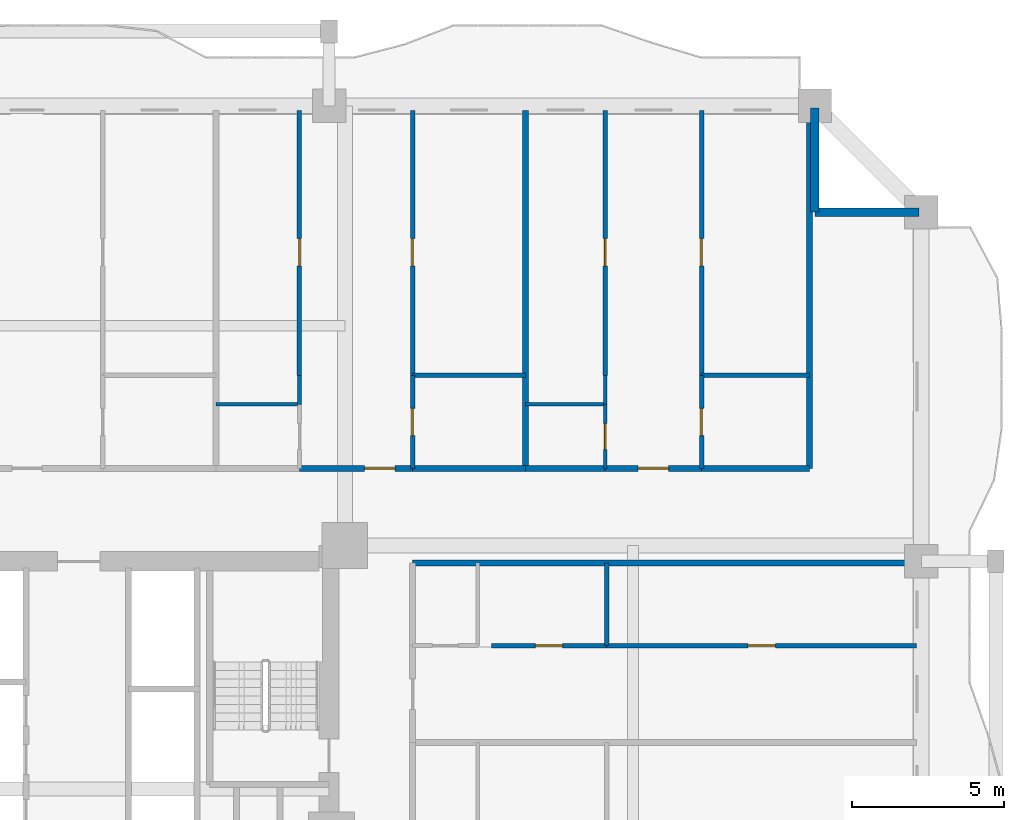
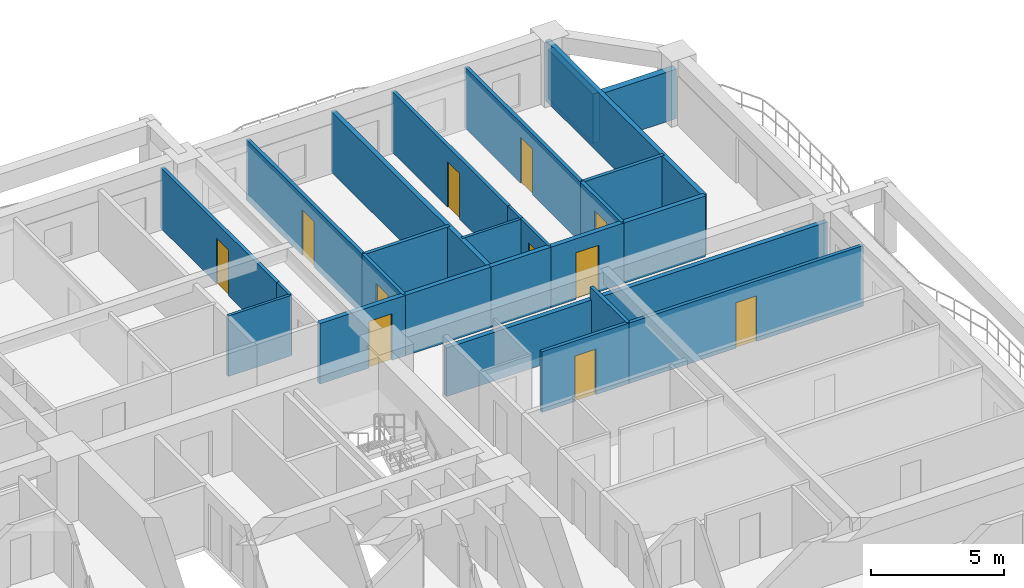
# One storey, part 8 of 18: 26 walls, 11 doors, 11 openings.
"""IFC4 building model written with IfcOpenShell, lengths in metres."""

from ifc_helpers import new_model, si_unit, direction, frame, frame_2d, origin, place, context, subcontext, project, spatial, rectangle, extrude, source, transform, mapped, material, layer, layer_set, type_object, element, fill, save


model = new_model("IFC4")

# Units and contexts
model_context = context("Model", 3, precision=1e-05, world=origin(), true_north=direction((0.0, 1.0)))
body_context = subcontext(model_context, "Body", "Model", "MODEL_VIEW")
ifc_project = project(units=[si_unit("LENGTHUNIT", "METRE"), si_unit("AREAUNIT", "SQUARE_METRE"), si_unit("VOLUMEUNIT", "CUBIC_METRE"), si_unit("PLANEANGLEUNIT", "RADIAN"), si_unit("MASSUNIT", "GRAM", prefix="KILO")], contexts=[model_context])

# Site, building, storey
site_placement = place(None, origin())
site = spatial("IfcSite", under=ifc_project, at=site_placement, CompositionType="ELEMENT")
building_placement = place(site_placement, origin())
building = spatial("IfcBuilding", under=site, at=building_placement, Name="Saelheon Loggia Tower", CompositionType="ELEMENT")
storey_placement = place(building_placement, frame((0.0, 0.0, 40.39990234375)))
storey = spatial("IfcBuildingStorey", under=building, at=storey_placement, Name="L12", CompositionType="ELEMENT", Elevation=40.39990234375)

# Walls
ifc_material_1 = material(Name="Architectural Precast Concrete C40/50", Category="concrete")
ifc_layer_1 = layer(ifc_material_1, 0.280029296875)
ifc_layer_set_1 = layer_set([ifc_layer_1], Name="Architectural Precast Concrete C40/50")
wall_type_1 = type_object("IfcWallType", Name="Wall_Ext_Loggia_280", PredefinedType="SOLIDWALL", material=ifc_layer_set_1)
for number, where, z_axis, x_axis, name in (
    (1, (60.5, 47.5, 0.0), (0.0, 0.0, 1.0), (0.0, 1.0, 0.0), "L12 Corner Notch Precast Wall NE1"),
    (2, (60.5, 47.5, 0.0), (0.0, 0.0, 1.0), (1.0, 0.0, 0.0), "L12 Corner Notch Precast Wall NE2"),
):
    element("IfcWall", number, at=place(storey_placement, frame(where, z_axis=z_axis, x_axis=x_axis)), inside=storey, type_object=wall_type_1, Name=name, PredefinedType="SOLIDWALL", context=body_context, shape_type="SweptSolid", body=[
        extrude(rectangle(XDim=3.419921875, YDim=0.280029296875, at=frame_2d((1.7099609375, 0.0))), origin(), (0.0, 0.0, 1.0), 2.280029296875),
    ])
ifc_material_2 = material(Name="Lightweight Autoclaved Aerated Concrete Block and Acoustic Gypsum", Category="concrete")
ifc_layer_2 = layer(ifc_material_2, 0.14990234375)
ifc_layer_set_2 = layer_set([ifc_layer_2], Name="Lightweight Autoclaved Aerated Concrete Block and Acoustic Gypsum")
wall_type_2 = type_object("IfcWallType", Name="Wall_Part_150", PredefinedType="PARTITIONING", material=ifc_layer_set_2)
wall_1_placement = place(storey_placement, frame((47.24951171875, 42.1201171875, 0.0), z_axis=(0.0, 0.0, 1.0), x_axis=(1.0, 0.0, 0.0)))
element("IfcWall", 3, at=wall_1_placement, inside=storey, type_object=wall_type_2, Name="L12 N Partition V31", PredefinedType="PARTITIONING", context=body_context, shape_type="SweptSolid", body=[
    extrude(rectangle(XDim=3.72265625, YDim=0.14990234375, at=frame_2d((1.861328125, 0.0))), origin(), (0.0, 0.0, 1.0), 2.7900390625),
])

# Wall, opening, door
wall_2_placement = place(storey_placement, frame((43.524658203125, 42.1201171875, 0.0), z_axis=(0.0, 0.0, 1.0), x_axis=(0.0, 1.0, 0.0)))
wall_2 = element("IfcWall", 4, at=wall_2_placement, inside=storey, type_object=wall_type_2, Name="L12 N Partition U34", PredefinedType="PARTITIONING", context=body_context, shape_type="SweptSolid", body=[
    extrude(rectangle(XDim=8.72998046875, YDim=0.14990234375, at=frame_2d((4.364990234375, 0.0))), origin(), (0.0, 0.0, 1.0), 2.7900390625),
])
opening_1_placement = place(wall_2_placement, frame((3.60888671875, 0.0, 0.0)))
opening_1 = element("IfcOpeningElement", 5, at=opening_1_placement, cuts=wall_2, Name="Opening D-IN2", PredefinedType="OPENING", context=body_context, shape_type="SweptSolid", body=[
    extrude(rectangle(XDim=0.89990234375, YDim=2.10009765625, at=frame_2d((0.449951171875, 1.050048828125))), frame((0.0, 0.0869140625, 0.0), z_axis=(0.0, -1.0, 0.0), x_axis=(1.0, 0.0, 0.0)), (0.0, 0.0, 1.0), 0.173828125),
])
ifc_material_3 = material(Name="Engineered Oak Flush Door", Category="timber")
door_type_1 = type_object("IfcDoorType", Name="Door_Int_900", OperationType="NOTDEFINED", PredefinedType="DOOR", material=ifc_material_3)
shared_shape_1 = source(origin(), body_context, "Body", "SweptSolid", [
    extrude(rectangle(XDim=0.89990234375, YDim=2.10009765625, at=frame_2d((0.449951171875, 1.050048828125))), frame((0.0, 0.02490234375, 0.0), z_axis=(0.0, -1.0, 0.0), x_axis=(1.0, 0.0, 0.0)), (0.0, 0.0, 1.0), 0.050048828125),
])
door_1_placement = place(opening_1_placement, origin())
door_1 = element("IfcDoor", 6, at=door_1_placement, inside=storey, type_object=door_type_1, Name="Unit U07 Kitchen Door", OperationType="SINGLE_SWING_RIGHT", OverallHeight=2.10009765625, OverallWidth=0.89990234375, PredefinedType="DOOR", context=body_context, shape_type="MappedRepresentation", body=[
    mapped(shared_shape_1, transform((0.0, 0.0, 0.0), scale=1.0)),
])
fill(opening_1, door_1)

wall_3_placement = place(storey_placement, frame((47.24951171875, 39.050048828125, 0.0), z_axis=(0.0, 0.0, 1.0), x_axis=(0.0, 1.0, 0.0)))
wall_3 = element("IfcWall", 7, at=wall_3_placement, inside=storey, type_object=wall_type_2, Name="L12 N Partition U35", PredefinedType="PARTITIONING", context=body_context, shape_type="SweptSolid", body=[
    extrude(rectangle(XDim=3.070068359375, YDim=0.14990234375, at=frame_2d((1.53515625, 0.0))), origin(), (0.0, 0.0, 1.0), 2.7900390625),
])
opening_2_placement = place(wall_3_placement, frame((1.0849609375, 0.0, 0.0)))
opening_2 = element("IfcOpeningElement", 8, at=opening_2_placement, cuts=wall_3, Name="Opening D-IN2", PredefinedType="OPENING", context=body_context, shape_type="SweptSolid", body=[
    extrude(rectangle(XDim=0.89990234375, YDim=2.10009765625, at=frame_2d((0.449951171875, 1.050048828125))), frame((0.0, 0.0869140625, 0.0), z_axis=(0.0, -1.0, 0.0), x_axis=(1.0, 0.0, 0.0)), (0.0, 0.0, 1.0), 0.173828125),
])
door_2_placement = place(opening_2_placement, origin())
door_2 = element("IfcDoor", 9, at=door_2_placement, inside=storey, type_object=door_type_1, Name="Unit U07 Dressing Closet Door", OperationType="SINGLE_SWING_LEFT", OverallHeight=2.10009765625, OverallWidth=0.89990234375, PredefinedType="DOOR", context=body_context, shape_type="MappedRepresentation", body=[
    mapped(shared_shape_1, transform((0.0, 0.0, 0.0), scale=1.0)),
])
fill(opening_2, door_2)

wall_4_placement = place(storey_placement, frame((47.24951171875, 42.1201171875, 0.0), z_axis=(0.0, 0.0, 1.0), x_axis=(0.0, 1.0, 0.0)))
wall_4 = element("IfcWall", 10, at=wall_4_placement, inside=storey, type_object=wall_type_2, Name="L12 N Partition U36", PredefinedType="PARTITIONING", context=body_context, shape_type="SweptSolid", body=[
    extrude(rectangle(XDim=8.72998046875, YDim=0.14990234375, at=frame_2d((4.364990234375, 0.0))), origin(), (0.0, 0.0, 1.0), 2.7900390625),
])
opening_3_placement = place(wall_4_placement, frame((3.60888671875, 0.0, 0.0)))
opening_3 = element("IfcOpeningElement", 11, at=opening_3_placement, cuts=wall_4, Name="Opening D-IN2", PredefinedType="OPENING", context=body_context, shape_type="SweptSolid", body=[
    extrude(rectangle(XDim=0.89990234375, YDim=2.10009765625, at=frame_2d((0.449951171875, 1.050048828125))), frame((0.0, 0.0869140625, 0.0), z_axis=(0.0, -1.0, 0.0), x_axis=(1.0, 0.0, 0.0)), (0.0, 0.0, 1.0), 0.173828125),
])
door_3_placement = place(opening_3_placement, origin())
door_3 = element("IfcDoor", 12, at=door_3_placement, inside=storey, type_object=door_type_1, Name="Unit U07 Bedroom 1 Door", OperationType="SINGLE_SWING_RIGHT", OverallHeight=2.10009765625, OverallWidth=0.89990234375, PredefinedType="DOOR", context=body_context, shape_type="MappedRepresentation", body=[
    mapped(shared_shape_1, transform((0.0, 0.0, 0.0), scale=1.0)),
])
fill(opening_3, door_3)

# Wall
wall_5_placement = place(storey_placement, frame((56.767822265625, 42.1201171875, 0.0), z_axis=(0.0, 0.0, 1.0), x_axis=(1.0, 0.0, 0.0)))
element("IfcWall", 13, at=wall_5_placement, inside=storey, type_object=wall_type_2, Name="L12 N Partition V42", PredefinedType="PARTITIONING", context=body_context, shape_type="SweptSolid", body=[
    extrude(rectangle(XDim=3.55224609375, YDim=0.14990234375, at=frame_2d((1.776123046875, 0.0))), origin(), (0.0, 0.0, 1.0), 2.7900390625),
])

# Wall, opening, door
wall_6_placement = place(storey_placement, frame((53.589599609375, 42.1201171875, 0.0), z_axis=(0.0, 0.0, 1.0), x_axis=(0.0, 1.0, 0.0)))
wall_6 = element("IfcWall", 14, at=wall_6_placement, inside=storey, type_object=wall_type_2, Name="L12 N Partition U45", PredefinedType="PARTITIONING", context=body_context, shape_type="SweptSolid", body=[
    extrude(rectangle(XDim=8.72998046875, YDim=0.14990234375, at=frame_2d((4.364990234375, 0.0))), origin(), (0.0, 0.0, 1.0), 2.7900390625),
])
opening_4_placement = place(wall_6_placement, frame((3.60888671875, 0.0, 0.0)))
opening_4 = element("IfcOpeningElement", 15, at=opening_4_placement, cuts=wall_6, Name="Opening D-IN2", PredefinedType="OPENING", context=body_context, shape_type="SweptSolid", body=[
    extrude(rectangle(XDim=0.89990234375, YDim=2.10009765625, at=frame_2d((0.449951171875, 1.050048828125))), frame((0.0, 0.0869140625, 0.0), z_axis=(0.0, -1.0, 0.0), x_axis=(1.0, 0.0, 0.0)), (0.0, 0.0, 1.0), 0.173828125),
])
door_4_placement = place(opening_4_placement, origin())
door_4 = element("IfcDoor", 16, at=door_4_placement, inside=storey, type_object=door_type_1, Name="Unit U08 Kitchen Door", OperationType="SINGLE_SWING_LEFT", OverallHeight=2.10009765625, OverallWidth=0.89990234375, PredefinedType="DOOR", context=body_context, shape_type="MappedRepresentation", body=[
    mapped(shared_shape_1, transform((0.0, 0.0, 0.0), scale=1.0)),
])
fill(opening_4, door_4)

wall_7_placement = place(storey_placement, frame((56.767822265625, 39.050048828125, 0.0), z_axis=(0.0, 0.0, 1.0), x_axis=(0.0, 1.0, 0.0)))
wall_7 = element("IfcWall", 17, at=wall_7_placement, inside=storey, type_object=wall_type_2, Name="L12 N Partition U46", PredefinedType="PARTITIONING", context=body_context, shape_type="SweptSolid", body=[
    extrude(rectangle(XDim=3.070068359375, YDim=0.14990234375, at=frame_2d((1.53515625, 0.0))), origin(), (0.0, 0.0, 1.0), 2.7900390625),
])
opening_5_placement = place(wall_7_placement, frame((1.0849609375, 0.0, 0.0)))
opening_5 = element("IfcOpeningElement", 18, at=opening_5_placement, cuts=wall_7, Name="Opening D-IN2", PredefinedType="OPENING", context=body_context, shape_type="SweptSolid", body=[
    extrude(rectangle(XDim=0.89990234375, YDim=2.10009765625, at=frame_2d((0.449951171875, 1.050048828125))), frame((0.0, 0.0869140625, 0.0), z_axis=(0.0, -1.0, 0.0), x_axis=(1.0, 0.0, 0.0)), (0.0, 0.0, 1.0), 0.173828125),
])
door_5_placement = place(opening_5_placement, origin())
door_5 = element("IfcDoor", 19, at=door_5_placement, inside=storey, type_object=door_type_1, Name="Unit U08 Dressing Closet Door", OperationType="SINGLE_SWING_RIGHT", OverallHeight=2.10009765625, OverallWidth=0.89990234375, PredefinedType="DOOR", context=body_context, shape_type="MappedRepresentation", body=[
    mapped(shared_shape_1, transform((0.0, 0.0, 0.0), scale=1.0)),
])
fill(opening_5, door_5)

wall_8_placement = place(storey_placement, frame((56.767822265625, 42.1201171875, 0.0), z_axis=(0.0, 0.0, 1.0), x_axis=(0.0, 1.0, 0.0)))
wall_8 = element("IfcWall", 20, at=wall_8_placement, inside=storey, type_object=wall_type_2, Name="L12 N Partition U47", PredefinedType="PARTITIONING", context=body_context, shape_type="SweptSolid", body=[
    extrude(rectangle(XDim=8.72998046875, YDim=0.14990234375, at=frame_2d((4.364990234375, 0.0))), origin(), (0.0, 0.0, 1.0), 2.7900390625),
])
opening_6_placement = place(wall_8_placement, frame((3.60888671875, 0.0, 0.0)))
opening_6 = element("IfcOpeningElement", 21, at=opening_6_placement, cuts=wall_8, Name="Opening D-IN2", PredefinedType="OPENING", context=body_context, shape_type="SweptSolid", body=[
    extrude(rectangle(XDim=0.89990234375, YDim=2.10009765625, at=frame_2d((0.449951171875, 1.050048828125))), frame((0.0, 0.0869140625, 0.0), z_axis=(0.0, -1.0, 0.0), x_axis=(1.0, 0.0, 0.0)), (0.0, 0.0, 1.0), 0.173828125),
])
door_6_placement = place(opening_6_placement, origin())
door_6 = element("IfcDoor", 22, at=door_6_placement, inside=storey, type_object=door_type_1, Name="Unit U08 Bedroom 1 Door", OperationType="SINGLE_SWING_LEFT", OverallHeight=2.10009765625, OverallWidth=0.89990234375, PredefinedType="DOOR", context=body_context, shape_type="MappedRepresentation", body=[
    mapped(shared_shape_1, transform((0.0, 0.0, 0.0), scale=1.0)),
])
fill(opening_6, door_6)

# Wall
wall_9_placement = place(storey_placement, frame((53.639892578125, 33.22509765625, 0.0), z_axis=(0.0, 0.0, 1.0), x_axis=(0.0, 1.0, 0.0)))
element("IfcWall", 23, at=wall_9_placement, inside=storey, type_object=wall_type_2, Name="L12 E Partition V23", PredefinedType="PARTITIONING", context=body_context, shape_type="SweptSolid", body=[
    extrude(rectangle(XDim=2.724853515625, YDim=0.14990234375, at=frame_2d((1.3623046875, 0.0))), origin(), (0.0, 0.0, 1.0), 2.7900390625),
])

# Wall, opening, door
wall_10_placement = place(storey_placement, frame((49.840087890625, 33.22509765625, 0.0), z_axis=(0.0, 0.0, 1.0), x_axis=(1.0, 0.0, 0.0)))
wall_10 = element("IfcWall", 24, at=wall_10_placement, inside=storey, type_object=wall_type_2, Name="L12 E Partition U24", PredefinedType="PARTITIONING", context=body_context, shape_type="SweptSolid", body=[
    extrude(rectangle(XDim=3.7998046875, YDim=0.14990234375, at=frame_2d((1.89990234375, 0.0))), origin(), (0.0, 0.0, 1.0), 2.7900390625),
])
opening_7_placement = place(wall_10_placement, frame((1.449951171875, 0.0, 0.0)))
opening_7 = element("IfcOpeningElement", 25, at=opening_7_placement, cuts=wall_10, Name="Opening D-IN2", PredefinedType="OPENING", context=body_context, shape_type="SweptSolid", body=[
    extrude(rectangle(XDim=0.89990234375, YDim=2.10009765625, at=frame_2d((0.449951171875, 1.050048828125))), frame((0.0, 0.0869140625, 0.0), z_axis=(0.0, -1.0, 0.0), x_axis=(1.0, 0.0, 0.0)), (0.0, 0.0, 1.0), 0.173828125),
])
door_7_placement = place(opening_7_placement, origin())
door_7 = element("IfcDoor", 26, at=door_7_placement, inside=storey, type_object=door_type_1, Name="Unit U13 Kitchen Door", OperationType="SINGLE_SWING_RIGHT", OverallHeight=2.10009765625, OverallWidth=0.89990234375, PredefinedType="DOOR", context=body_context, shape_type="MappedRepresentation", body=[
    mapped(shared_shape_1, transform((0.0, 0.0, 0.0), scale=1.0)),
])
fill(opening_7, door_7)

wall_11_placement = place(storey_placement, frame((53.639892578125, 33.22509765625, 0.0), z_axis=(0.0, 0.0, 1.0), x_axis=(1.0, 0.0, 0.0)))
wall_11 = element("IfcWall", 27, at=wall_11_placement, inside=storey, type_object=wall_type_2, Name="L12 E Partition U25", PredefinedType="PARTITIONING", context=body_context, shape_type="SweptSolid", body=[
    extrude(rectangle(XDim=10.210205078125, YDim=0.14990234375, at=frame_2d((5.10498046875, 0.0))), origin(), (0.0, 0.0, 1.0), 2.7900390625),
])
opening_8_placement = place(wall_11_placement, frame((4.655029296875, 0.0, 0.0)))
opening_8 = element("IfcOpeningElement", 28, at=opening_8_placement, cuts=wall_11, Name="Opening D-IN2", PredefinedType="OPENING", context=body_context, shape_type="SweptSolid", body=[
    extrude(rectangle(XDim=0.89990234375, YDim=2.10009765625, at=frame_2d((0.449951171875, 1.050048828125))), frame((0.0, 0.0869140625, 0.0), z_axis=(0.0, -1.0, 0.0), x_axis=(1.0, 0.0, 0.0)), (0.0, 0.0, 1.0), 0.173828125),
])
door_8_placement = place(opening_8_placement, origin())
door_8 = element("IfcDoor", 29, at=door_8_placement, inside=storey, type_object=door_type_1, Name="Unit U13 Bedroom 1 Door", OperationType="SINGLE_SWING_LEFT", OverallHeight=2.10009765625, OverallWidth=0.89990234375, PredefinedType="DOOR", context=body_context, shape_type="MappedRepresentation", body=[
    mapped(shared_shape_1, transform((0.0, 0.0, 0.0), scale=1.0)),
])
fill(opening_8, door_8)

# Wall
ifc_material_4 = material(Name="Double Acoustic Stud and Fireboard Partition", Category="gypsum")
ifc_layer_3 = layer(ifc_material_4, 0.199951171875)
ifc_layer_set_3 = layer_set([ifc_layer_3], Name="Double Acoustic Stud and Fireboard Partition")
wall_type_3 = type_object("IfcWallType", Name="Wall_Party_200", PredefinedType="PARTITIONING", material=ifc_layer_set_3)
wall_12_placement = place(storey_placement, frame((60.320068359375, 39.050048828125, 0.0), z_axis=(0.0, 0.0, 1.0), x_axis=(0.0, 1.0, 0.0)))
element("IfcWall", 30, at=wall_12_placement, inside=storey, type_object=wall_type_3, Name="L12 N Partition U02", PredefinedType="PARTITIONING", context=body_context, shape_type="SweptSolid", body=[
    extrude(rectangle(XDim=11.800048828125, YDim=0.199951171875, at=frame_2d((5.89990234375, 0.0))), origin(), (0.0, 0.0, 1.0), 2.7900390625),
])

# Wall, opening, door
wall_13_placement = place(storey_placement, frame((43.524658203125, 39.050048828125, 0.0), z_axis=(0.0, 0.0, 1.0), x_axis=(1.0, 0.0, 0.0)))
wall_13 = element("IfcWall", 31, at=wall_13_placement, inside=storey, type_object=wall_type_3, Name="L12 N Partition V28", PredefinedType="PARTITIONING", context=body_context, shape_type="SweptSolid", body=[
    extrude(rectangle(XDim=3.724853515625, YDim=0.199951171875, at=frame_2d((1.8623046875, 0.0))), origin(), (0.0, 0.0, 1.0), 2.7900390625),
])
opening_9_placement = place(wall_13_placement, frame((2.143310546875, 0.0, 0.0)))
opening_9 = element("IfcOpeningElement", 32, at=opening_9_placement, cuts=wall_13, Name="Opening D-FD1", PredefinedType="OPENING", context=body_context, shape_type="SweptSolid", body=[
    extrude(rectangle(XDim=1.0, YDim=2.14990234375, at=frame_2d((0.5, 1.074951171875))), frame((0.0, 0.112060546875, 0.0), z_axis=(0.0, -1.0, 0.0), x_axis=(1.0, 0.0, 0.0)), (0.0, 0.0, 1.0), 0.223876953125),
])
ifc_material_5 = material(Name="Fire-Rated Engineered Timber Entrance Door", Category="wood")
door_type_2 = type_object("IfcDoorType", Name="Door_Flat_FD30S", OperationType="NOTDEFINED", PredefinedType="DOOR", material=ifc_material_5)
shared_shape_2 = source(origin(), body_context, "Body", "SweptSolid", [
    extrude(rectangle(XDim=1.0, YDim=2.14990234375, at=frame_2d((0.5, 1.074951171875))), frame((0.0, 0.02490234375, 0.0), z_axis=(0.0, -1.0, 0.0), x_axis=(1.0, 0.0, 0.0)), (0.0, 0.0, 1.0), 0.050048828125),
])
door_9_placement = place(opening_9_placement, origin())
door_9 = element("IfcDoor", 33, at=door_9_placement, inside=storey, type_object=door_type_2, Name="Unit U07 Entrance Door", OperationType="SINGLE_SWING_RIGHT", OverallHeight=2.14990234375, OverallWidth=1.0, PredefinedType="DOOR", context=body_context, shape_type="MappedRepresentation", body=[
    mapped(shared_shape_2, transform((0.0, 0.0, 0.0), scale=1.0)),
])
fill(opening_9, door_9)

# Walls
wall_14_placement = place(storey_placement, frame((47.24951171875, 39.050048828125, 0.0), z_axis=(0.0, 0.0, 1.0), x_axis=(1.0, 0.0, 0.0)))
element("IfcWall", 34, at=wall_14_placement, inside=storey, type_object=wall_type_3, Name="L12 N Partition V29", PredefinedType="PARTITIONING", context=body_context, shape_type="SweptSolid", body=[
    extrude(rectangle(XDim=3.72265625, YDim=0.199951171875, at=frame_2d((1.861328125, 0.0))), origin(), (0.0, 0.0, 1.0), 2.7900390625),
])
wall_15_placement = place(storey_placement, frame((50.97216796875, 39.050048828125, 0.0), z_axis=(0.0, 0.0, 1.0), x_axis=(0.0, 1.0, 0.0)))
element("IfcWall", 35, at=wall_15_placement, inside=storey, type_object=wall_type_3, Name="L12 N Partition U37", PredefinedType="PARTITIONING", context=body_context, shape_type="SweptSolid", body=[
    extrude(rectangle(XDim=11.800048828125, YDim=0.199951171875, at=frame_2d((5.89990234375, 0.0))), origin(), (0.0, 0.0, 1.0), 2.7900390625),
])
wall_16_placement = place(storey_placement, frame((50.97216796875, 39.050048828125, 0.0), z_axis=(0.0, 0.0, 1.0), x_axis=(1.0, 0.0, 0.0)))
element("IfcWall", 36, at=wall_16_placement, inside=storey, type_object=wall_type_3, Name="L12 N Partition V38", PredefinedType="PARTITIONING", context=body_context, shape_type="SweptSolid", body=[
    extrude(rectangle(XDim=2.617431640625, YDim=0.199951171875, at=frame_2d((1.30859375, 0.0))), origin(), (0.0, 0.0, 1.0), 2.7900390625),
])

# Wall, opening, door
wall_17_placement = place(storey_placement, frame((53.589599609375, 39.050048828125, 0.0), z_axis=(0.0, 0.0, 1.0), x_axis=(1.0, 0.0, 0.0)))
wall_17 = element("IfcWall", 37, at=wall_17_placement, inside=storey, type_object=wall_type_3, Name="L12 N Partition V39", PredefinedType="PARTITIONING", context=body_context, shape_type="SweptSolid", body=[
    extrude(rectangle(XDim=3.17822265625, YDim=0.199951171875, at=frame_2d((1.589111328125, 0.0))), origin(), (0.0, 0.0, 1.0), 2.7900390625),
])
opening_10_placement = place(wall_17_placement, frame((1.089111328125, 0.0, 0.0)))
opening_10 = element("IfcOpeningElement", 38, at=opening_10_placement, cuts=wall_17, Name="Opening D-FD1", PredefinedType="OPENING", context=body_context, shape_type="SweptSolid", body=[
    extrude(rectangle(XDim=1.0, YDim=2.14990234375, at=frame_2d((0.5, 1.074951171875))), frame((0.0, 0.112060546875, 0.0), z_axis=(0.0, -1.0, 0.0), x_axis=(1.0, 0.0, 0.0)), (0.0, 0.0, 1.0), 0.223876953125),
])
door_10_placement = place(opening_10_placement, origin())
door_10 = element("IfcDoor", 39, at=door_10_placement, inside=storey, type_object=door_type_2, Name="Unit U08 Entrance Door", OperationType="SINGLE_SWING_LEFT", OverallHeight=2.14990234375, OverallWidth=1.0, PredefinedType="DOOR", context=body_context, shape_type="MappedRepresentation", body=[
    mapped(shared_shape_2, transform((0.0, 0.0, 0.0), scale=1.0)),
])
fill(opening_10, door_10)

# Walls
wall_18_placement = place(storey_placement, frame((56.767822265625, 39.050048828125, 0.0), z_axis=(0.0, 0.0, 1.0), x_axis=(1.0, 0.0, 0.0)))
element("IfcWall", 40, at=wall_18_placement, inside=storey, type_object=wall_type_3, Name="L12 N Partition V40", PredefinedType="PARTITIONING", context=body_context, shape_type="SweptSolid", body=[
    extrude(rectangle(XDim=3.55224609375, YDim=0.199951171875, at=frame_2d((1.776123046875, 0.0))), origin(), (0.0, 0.0, 1.0), 2.7900390625),
])
wall_19_placement = place(storey_placement, frame((47.25, 35.949951171875, 0.0), z_axis=(0.0, 0.0, 1.0), x_axis=(1.0, 0.0, 0.0)))
element("IfcWall", 41, at=wall_19_placement, inside=storey, type_object=wall_type_3, Name="L12 E Partition U02", PredefinedType="PARTITIONING", context=body_context, shape_type="SweptSolid", body=[
    extrude(rectangle(XDim=16.60009765625, YDim=0.199951171875, at=frame_2d((8.300048828125, 0.0))), origin(), (0.0, 0.0, 1.0), 2.239990234375),
])
ifc_material_6 = material(Name="Moisture-Resistant Cement Board Partition", Category="gypsum")
ifc_layer_4 = layer(ifc_material_6, 0.1201171875)
ifc_layer_set_4 = layer_set([ifc_layer_4], Name="Moisture-Resistant Cement Board Partition")
wall_type_4 = type_object("IfcWallType", Name="Wall_WetPart_120", PredefinedType="PARTITIONING", material=ifc_layer_set_4)
wall_20_placement = place(storey_placement, frame((40.774658203125, 41.169921875, 0.0), z_axis=(0.0, 0.0, 1.0), x_axis=(1.0, 0.0, 0.0)))
element("IfcWall", 42, at=wall_20_placement, inside=storey, type_object=wall_type_4, Name="L12 N Partition V30", PredefinedType="PARTITIONING", context=body_context, shape_type="SweptSolid", body=[
    extrude(rectangle(XDim=2.75, YDim=0.1201171875, at=frame_2d((1.375, 0.0))), origin(), (0.0, 0.0, 1.0), 2.7900390625),
])
wall_21_placement = place(storey_placement, frame((43.524658203125, 41.169921875, 0.0), z_axis=(0.0, 0.0, 1.0), x_axis=(0.0, 1.0, 0.0)))
element("IfcWall", 43, at=wall_21_placement, inside=storey, type_object=wall_type_4, Name="L12 N Partition U33", PredefinedType="PARTITIONING", context=body_context, shape_type="SweptSolid", body=[
    extrude(rectangle(XDim=0.9501953125, YDim=0.1201171875, at=frame_2d((0.47509765625, 0.0))), origin(), (0.0, 0.0, 1.0), 2.7900390625),
])
wall_22_placement = place(storey_placement, frame((50.97216796875, 41.169921875, 0.0), z_axis=(0.0, 0.0, 1.0), x_axis=(1.0, 0.0, 0.0)))
element("IfcWall", 44, at=wall_22_placement, inside=storey, type_object=wall_type_4, Name="L12 N Partition V41", PredefinedType="PARTITIONING", context=body_context, shape_type="SweptSolid", body=[
    extrude(rectangle(XDim=2.617431640625, YDim=0.1201171875, at=frame_2d((1.30859375, 0.0))), origin(), (0.0, 0.0, 1.0), 2.7900390625),
])

# Wall, opening, door
wall_23_placement = place(storey_placement, frame((53.589599609375, 39.050048828125, 0.0), z_axis=(0.0, 0.0, 1.0), x_axis=(0.0, 1.0, 0.0)))
wall_23 = element("IfcWall", 45, at=wall_23_placement, inside=storey, type_object=wall_type_4, Name="L12 N Partition U43", PredefinedType="PARTITIONING", context=body_context, shape_type="SweptSolid", body=[
    extrude(rectangle(XDim=2.119873046875, YDim=0.1201171875, at=frame_2d((1.06005859375, 0.0))), origin(), (0.0, 0.0, 1.0), 2.7900390625),
])
opening_11_placement = place(wall_23_placement, frame((0.635009765625, 0.0, 0.0)))
opening_11 = element("IfcOpeningElement", 46, at=opening_11_placement, cuts=wall_23, Name="Opening D-BT1", PredefinedType="OPENING", context=body_context, shape_type="SweptSolid", body=[
    extrude(rectangle(XDim=0.85009765625, YDim=2.050048828125, at=frame_2d((0.425048828125, 1.02490234375))), frame((0.0, 0.072021484375, 0.0), z_axis=(0.0, -1.0, 0.0), x_axis=(1.0, 0.0, 0.0)), (0.0, 0.0, 1.0), 0.14404296875),
])
ifc_material_7 = material(Name="Moisture-Resistant Laminate Timber Door", Category="wood")
door_type_3 = type_object("IfcDoorType", Name="Door_Bath_850", OperationType="NOTDEFINED", PredefinedType="DOOR", material=ifc_material_7)
shared_shape_3 = source(origin(), body_context, "Body", "SweptSolid", [
    extrude(rectangle(XDim=0.85009765625, YDim=2.050048828125, at=frame_2d((0.425048828125, 1.02490234375))), frame((0.0, 0.02490234375, 0.0), z_axis=(0.0, -1.0, 0.0), x_axis=(1.0, 0.0, 0.0)), (0.0, 0.0, 1.0), 0.050048828125),
])
door_11_placement = place(opening_11_placement, origin())
door_11 = element("IfcDoor", 47, at=door_11_placement, inside=storey, type_object=door_type_3, Name="Unit U08 Bathroom Door", OperationType="SINGLE_SWING_RIGHT", OverallHeight=2.050048828125, OverallWidth=0.85009765625, PredefinedType="DOOR", context=body_context, shape_type="MappedRepresentation", body=[
    mapped(shared_shape_3, transform((0.0, 0.0, 0.0), scale=1.0)),
])
fill(opening_11, door_11)

# Wall
wall_24_placement = place(storey_placement, frame((53.589599609375, 41.169921875, 0.0), z_axis=(0.0, 0.0, 1.0), x_axis=(0.0, 1.0, 0.0)))
element("IfcWall", 48, at=wall_24_placement, inside=storey, type_object=wall_type_4, Name="L12 N Partition U44", PredefinedType="PARTITIONING", context=body_context, shape_type="SweptSolid", body=[
    extrude(rectangle(XDim=0.9501953125, YDim=0.1201171875, at=frame_2d((0.47509765625, 0.0))), origin(), (0.0, 0.0, 1.0), 2.7900390625),
])

save(model, "model.ifc")
